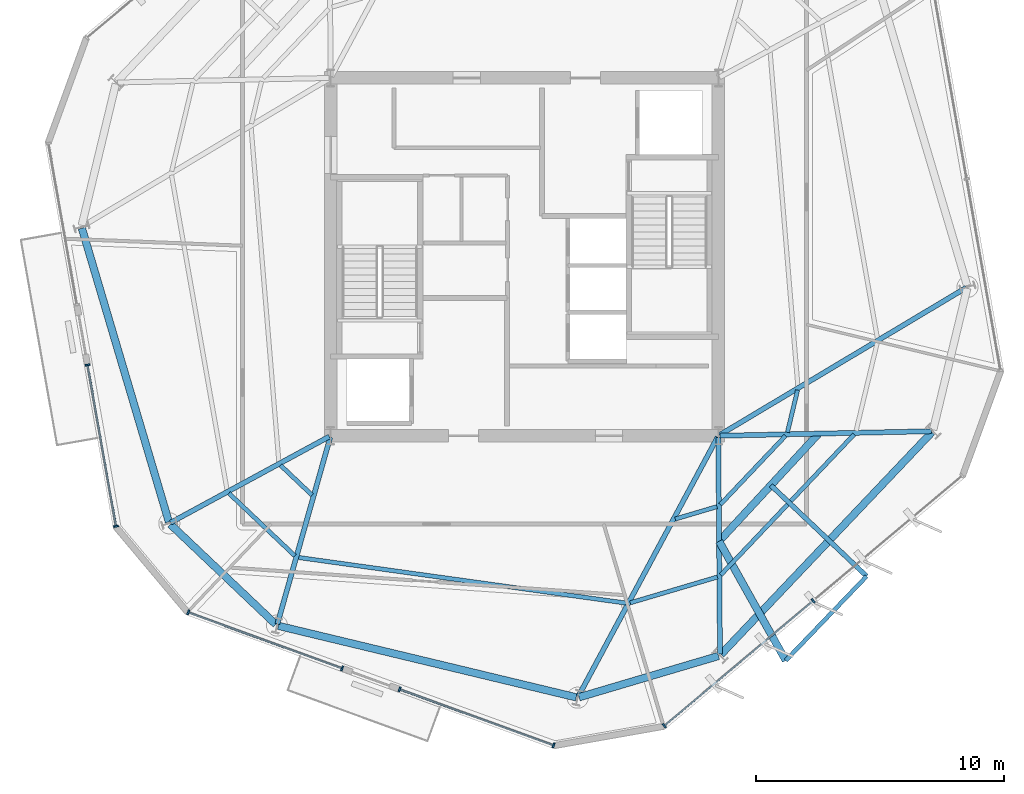
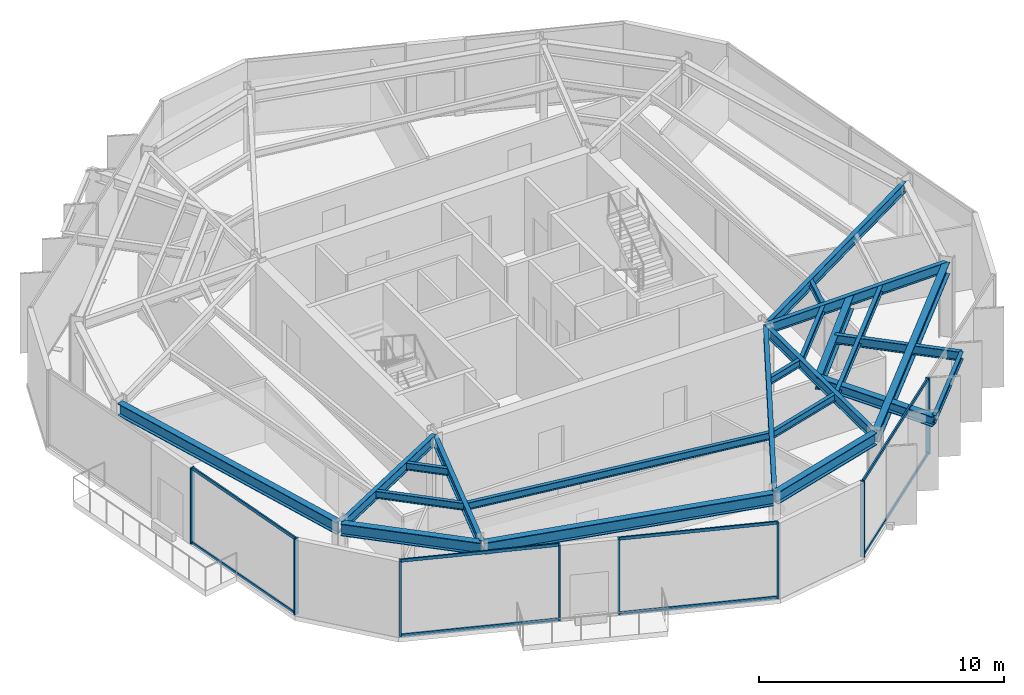
# One storey, part 2 of 11: 23 beams, 16 members, 4 elements without a shape of their own.
"""IFC4 building model written with IfcOpenShell, lengths in metres."""

import ifcopenshell
import ifcopenshell.guid

model = None  # the IFC model being written
_history = None  # IfcOwnerHistory: only IFC2X3 demands one
_inside = {}  # id of a spatial element -> (the spatial element, [elements in it])
_under = {}  # id of a project, library or spatial element -> (it, [spatial elements below it])
_declared = {}  # id of a project -> (the project, [libraries it declares])
_typed = {}  # id of a type object -> (the type object, [elements of that type])
_made_of = {}  # id of a material, layer set ... -> (it, [elements and type objects made of it])


def new_model(schema):
    """Start an empty IFC model of exactly this schema.

    Asked for "IFC4X3", IfcOpenShell would pick the latest addendum, in which some entities
    have other attributes; the version numbers below select the first issue.
    IFC2X3 requires an IfcOwnerHistory on every rooted entity: one is made here for all.
    """
    global model, _history
    if schema == "IFC4X3":
        model = ifcopenshell.file(schema_version=(4, 3, 0, 0))
    else:
        model = ifcopenshell.file(schema=schema)
    _inside.clear()
    _under.clear()
    _declared.clear()
    _typed.clear()
    _made_of.clear()
    _history = None
    if model.schema == "IFC2X3":
        org = make("IfcOrganization", Name="unknown")
        user = make(
            "IfcPersonAndOrganization",
            ThePerson=make("IfcPerson", FamilyName="unknown"),
            TheOrganization=org,
        )
        app = make(
            "IfcApplication",
            ApplicationDeveloper=org,
            Version="unknown",
            ApplicationFullName="unknown",
            ApplicationIdentifier="unknown",
        )
        _history = make(
            "IfcOwnerHistory",
            OwningUser=user,
            OwningApplication=app,
            ChangeAction="ADDED",
            CreationDate=0,
        )
    return model


def make(cls, **values):
    """One entity of the class cls with the attributes given. An attribute that is None is left unset."""
    return model.create_entity(
        cls, **{name: value for name, value in values.items() if value is not None}
    )


def rooted(cls, **values):
    """An entity with a GlobalId (a new one), such as an element, a storey or a relation."""
    return make(cls, GlobalId=ifcopenshell.guid.new(), OwnerHistory=_history, **values)


def si_unit(unit_type, name, prefix=None):
    """IfcSIUnit, for example si_unit("LENGTHUNIT", "METRE", prefix="MILLI")."""
    return make("IfcSIUnit", UnitType=unit_type, Prefix=prefix, Name=name)


def assignment(units):
    """IfcUnitAssignment: the units of a project."""
    return None if units is None else make("IfcUnitAssignment", Units=units)


def point(xyz):
    """IfcCartesianPoint."""
    return None if xyz is None else make("IfcCartesianPoint", Coordinates=xyz)


def direction(xyz):
    """IfcDirection."""
    return None if xyz is None else make("IfcDirection", DirectionRatios=xyz)


def frame(location, z_axis=None, x_axis=None):
    """IfcAxis2Placement3D, a coordinate frame: its origin and axes. An axis left out is left unset."""
    return make(
        "IfcAxis2Placement3D",
        Location=point(location),
        Axis=direction(z_axis),
        RefDirection=direction(x_axis),
    )


def frame_2d(location, x_axis=None):
    """IfcAxis2Placement2D, a coordinate frame in the plane: its origin and x axis."""
    return make(
        "IfcAxis2Placement2D", Location=point(location), RefDirection=direction(x_axis)
    )


def origin():
    """The frame at (0, 0, 0) with its axes left unset."""
    return frame((0.0, 0.0, 0.0))


def origin_2d():
    """The frame at (0, 0) in the plane with its x axis left unset."""
    return frame_2d((0.0, 0.0))


def place(relative_to, where):
    """IfcLocalPlacement: puts the frame where relative to a parent placement (None: the world)."""
    return make(
        "IfcLocalPlacement", PlacementRelTo=relative_to, RelativePlacement=where
    )


def context(
    kind, dimensions, precision=None, world=None, true_north=None, identifier=None
):
    """IfcGeometricRepresentationContext, for example the 3D "Model" context."""
    return make(
        "IfcGeometricRepresentationContext",
        ContextIdentifier=identifier,
        ContextType=kind,
        CoordinateSpaceDimension=dimensions,
        Precision=precision,
        WorldCoordinateSystem=world,
        TrueNorth=true_north,
    )


def subcontext(parent, identifier, kind, view, scale=None):
    """IfcGeometricRepresentationSubContext, for example "Body" below "Model"."""
    return make(
        "IfcGeometricRepresentationSubContext",
        ContextIdentifier=identifier,
        ContextType=kind,
        ParentContext=parent,
        TargetScale=scale,
        TargetView=view,
    )


def project(units=None, contexts=None):
    """IfcProject with its units and contexts."""
    return rooted(
        "IfcProject",
        Name="project",
        RepresentationContexts=contexts,
        UnitsInContext=assignment(units),
    )


def spatial(cls, under=None, at=None, **own):
    """A site, building, storey or space (cls), placed at a placement, below another one or the project."""
    s = rooted(cls, ObjectPlacement=at, **own)
    if under is not None:
        _under.setdefault(under.id(), (under, []))[1].append(s)
    return s


def profile(cls, at=None, kind="AREA", **sizes):
    """A parametric profile (cls). Its sizes go by their IFC names, for example OverallWidth=200.0."""
    return make(cls, ProfileType=kind, Position=at, **sizes)


def rectangle(**sizes):
    """IfcRectangleProfileDef."""
    return profile("IfcRectangleProfileDef", **sizes)


def i_section(**sizes):
    """IfcIShapeProfileDef."""
    return profile("IfcIShapeProfileDef", **sizes)


def extrude(swept, where, along, depth):
    """IfcExtrudedAreaSolid: the profile swept, set in the frame where, extruded along a direction by depth."""
    return make(
        "IfcExtrudedAreaSolid",
        SweptArea=swept,
        Position=where,
        ExtrudedDirection=direction(along),
        Depth=depth,
    )


def shape(context_of_items, identifier, shape_type, items):
    """IfcShapeRepresentation: the items that make up one representation, for example the "Body"."""
    return make(
        "IfcShapeRepresentation",
        ContextOfItems=context_of_items,
        RepresentationIdentifier=identifier,
        RepresentationType=shape_type,
        Items=items,
    )


def material(Name=None, Category=None):
    """IfcMaterial."""
    return make("IfcMaterial", Name=Name, Category=Category)


def layer(
    of_material, thickness, ventilated=None, Name=None, Category=None, Priority=None
):
    """IfcMaterialLayer: one layer of a wall or slab, of a material (None: an air gap)."""
    return make(
        "IfcMaterialLayer",
        Material=of_material,
        LayerThickness=thickness,
        IsVentilated=ventilated,
        Name=Name,
        Category=Category,
        Priority=Priority,
    )


def layer_set(layers, Name=None):
    """IfcMaterialLayerSet."""
    return make("IfcMaterialLayerSet", MaterialLayers=layers, LayerSetName=Name)


def material_profile(
    of_material, cross_section, Name=None, Category=None, Priority=None
):
    """IfcMaterialProfile: a cross section and its material."""
    return make(
        "IfcMaterialProfile",
        Name=Name,
        Material=of_material,
        Profile=cross_section,
        Priority=Priority,
        Category=Category,
    )


def profile_set(profiles, Name=None, composite=None):
    """IfcMaterialProfileSet."""
    return make(
        "IfcMaterialProfileSet",
        Name=Name,
        MaterialProfiles=profiles,
        CompositeProfile=composite,
    )


def made_of(thing, what):
    """Note that an element or type object is made of a material, layer set ...; save() writes the relation."""
    if what is not None:
        _made_of.setdefault(what.id(), (what, []))[1].append(thing)
    return thing


def type_object(cls, material=None, **own):
    """A type object (cls), such as IfcWallType, which elements share."""
    return made_of(rooted(cls, **own), material)


def element(
    cls,
    number,
    at=None,
    inside=None,
    cuts=None,
    type_object=None,
    material=None,
    context=None,
    identifier="Body",
    shape_type=None,
    held_by="IfcProductDefinitionShape",
    body=None,
    shapes=None,
    **own,
):
    """One element of the class cls, such as IfcWall. Its Tag is "e" and its number.

    at: its placement. inside: the storey or other place that contains it. cuts: it is an
    opening in that element (IfcRelVoidsElement). A single representation is given by context,
    identifier, shape_type and body (its items); several are given by shapes. held_by: the class
    of the entity that holds the representations. save() writes the other relations.
    """
    e = rooted(cls, Tag="e%d" % number, ObjectPlacement=at, **own)
    if body is not None:
        shapes = [shape(context, identifier, shape_type, body)]
    if shapes is not None:
        e.Representation = make(held_by, Representations=shapes)
    if inside is not None:
        _inside.setdefault(inside.id(), (inside, []))[1].append(e)
    if cuts is not None:
        rooted(
            "IfcRelVoidsElement", RelatingBuildingElement=cuts, RelatedOpeningElement=e
        )
    if type_object is not None:
        _typed.setdefault(type_object.id(), (type_object, []))[1].append(e)
    return made_of(e, material)


def aggregate(whole, parts):
    """IfcRelAggregates: a whole, such as a stair, and the parts it consists of."""
    return rooted("IfcRelAggregates", RelatingObject=whole, RelatedObjects=parts)


def save(model, path):
    """Write the relations noted so far, then the file.

    IfcRelAggregates (storeys below a building ...), IfcRelContainedInSpatialStructure (elements
    in a storey), IfcRelDefinesByType, IfcRelAssociatesMaterial and IfcRelDeclares: one each for
    every whole, place, type object, material and project.
    """
    for whole, parts in _under.values():
        aggregate(whole, parts)
    for where, things in _inside.values():
        rooted(
            "IfcRelContainedInSpatialStructure",
            RelatedElements=things,
            RelatingStructure=where,
        )
    for kind, things in _typed.values():
        rooted("IfcRelDefinesByType", RelatedObjects=things, RelatingType=kind)
    for what, things in _made_of.values():
        rooted("IfcRelAssociatesMaterial", RelatedObjects=things, RelatingMaterial=what)
    for by, libraries in _declared.values():
        rooted("IfcRelDeclares", RelatingContext=by, RelatedDefinitions=libraries)
    model.write(path)


model = new_model("IFC4")

# Units and contexts
model_context = context("Model", 3, precision=1e-05, world=origin(), true_north=direction((0.0, 1.0)))
body_context = subcontext(model_context, "Body", "Model", "MODEL_VIEW")
ifc_project = project(units=[si_unit("LENGTHUNIT", "METRE"), si_unit("AREAUNIT", "SQUARE_METRE"), si_unit("VOLUMEUNIT", "CUBIC_METRE"), si_unit("PLANEANGLEUNIT", "RADIAN"), si_unit("MASSUNIT", "GRAM", prefix="KILO")], contexts=[model_context])

# Site, building, storey
site_placement = place(None, origin())
site = spatial("IfcSite", under=ifc_project, at=site_placement, CompositionType="ELEMENT")
building_placement = place(site_placement, origin())
building = spatial("IfcBuilding", under=site, at=building_placement, Name="Kranzbogen Civic Tower", CompositionType="ELEMENT")
storey_placement = place(building_placement, frame((0.0, 0.0, 184.800048828125)))
storey = spatial("IfcBuildingStorey", under=building, at=storey_placement, Name="L44", CompositionType="ELEMENT", Elevation=184.800048828125)

# Beam
ifc_material_1 = material(Name="Steel S355", Category="steel")
ifc_material_profile_1 = material_profile(ifc_material_1, i_section(OverallWidth=0.18994140625, OverallDepth=0.449951171875, WebThickness=0.009521484375, FlangeThickness=0.0146484375, at=origin_2d()), Name="IPE 450")
ifc_profile_set_1 = profile_set([ifc_material_profile_1], Name="Steel S355")
beam_type_1 = type_object("IfcBeamType", Name="Braced Terrace Edge Beam IPE 450", PredefinedType="BEAM", material=ifc_profile_set_1)
beam_1_placement = place(storey_placement, frame((34.9140625, 15.80810546875, 3.52490234375), z_axis=(0.725373141087, -0.688355871762, 0.0), x_axis=(0.688355871762, 0.725373141087, 0.0)))
element("IfcBeam", 1, at=beam_1_placement, inside=storey, type_object=beam_type_1, Name="L45 back-spanned terrace beam L45-TB1-2", PredefinedType="BEAM", context=body_context, shape_type="SweptSolid", body=[
    extrude(i_section(OverallWidth=0.18994140625, OverallDepth=0.449951171875, WebThickness=0.009521484375, FlangeThickness=0.0146484375, at=origin_2d()), origin(), (0.0, 0.0, 1.0), 5.31591796875),
])

# Curtain wall, members
ifc_material_2 = material(Name="Pale Anodised Aluminium", Category="aluminium")
ifc_layer = layer(ifc_material_2, 0.219970703125, Name="Pale Anodised Aluminium")
ifc_layer_set = layer_set([ifc_layer], Name="Pale Anodised Aluminium")
curtain_wall_type = type_object("IfcCurtainWallType", Name="Zone 3 Stick Curtain Wall System CW-04", PredefinedType="USERDEFINED", material=ifc_layer_set)
curtain_wall_1_placement = place(storey_placement, origin())
curtain_wall_1 = element("IfcCurtainWall", 2, at=curtain_wall_1_placement, inside=storey, type_object=curtain_wall_type, Name="L44 curtain wall CW-L44-F3-S2", ObjectType="STICK CURTAIN WALL", PredefinedType="USERDEFINED")
ifc_material_profile_2 = material_profile(ifc_material_2, rectangle(XDim=0.070068359375, YDim=0.199951171875, at=origin_2d()), Name="ALU-M 70x200")
ifc_profile_set_2 = profile_set([ifc_material_profile_2], Name="Pale Anodised Aluminium")
member_type_1 = type_object("IfcMemberType", Name="Curtain Wall Mullion ALU-M 70x200", PredefinedType="MULLION", material=ifc_profile_set_2)
member_1_placement = place(storey_placement, frame((7.416259765625, 20.650390625, 0.0), z_axis=(0.0, 0.0, 1.0), x_axis=(0.173725321879, -0.984794147291, 0.0)))
member_1 = element("IfcMember", 3, at=member_1_placement, type_object=member_type_1, Name="CW-04 mullion 1", PredefinedType="MULLION", context=body_context, shape_type="SweptSolid", body=[
    extrude(rectangle(XDim=0.070068359375, YDim=0.199951171875, at=origin_2d()), origin(), (0.0, 0.0, 1.0), 3.780029296875),
])
member_2_placement = place(storey_placement, frame((8.561767578125, 14.156494140625, 0.0), z_axis=(0.0, 0.0, 1.0), x_axis=(0.173725321879, -0.984794147291, 0.0)))
member_2 = element("IfcMember", 4, at=member_2_placement, type_object=member_type_1, Name="CW-04 mullion 2", PredefinedType="MULLION", context=body_context, shape_type="SweptSolid", body=[
    extrude(rectangle(XDim=0.070068359375, YDim=0.199951171875, at=origin_2d()), origin(), (0.0, 0.0, 1.0), 3.780029296875),
])

curtain_wall_2_placement = place(storey_placement, origin())
curtain_wall_2 = element("IfcCurtainWall", 5, at=curtain_wall_2_placement, inside=storey, type_object=curtain_wall_type, Name="L44 curtain wall CW-L44-F4-S1", ObjectType="STICK CURTAIN WALL", PredefinedType="USERDEFINED")
member_3_placement = place(storey_placement, frame((11.46728515625, 10.69482421875, 0.0), z_axis=(0.0, 0.0, 1.0), x_axis=(0.93967049042, -0.342080939887, 0.0)))
member_3 = element("IfcMember", 6, at=member_3_placement, type_object=member_type_1, Name="CW-04 mullion 1", PredefinedType="MULLION", context=body_context, shape_type="SweptSolid", body=[
    extrude(rectangle(XDim=0.070068359375, YDim=0.199951171875, at=origin_2d()), origin(), (0.0, 0.0, 1.0), 3.780029296875),
])
member_4_placement = place(storey_placement, frame((17.662841796875, 8.439208984375, 0.0), z_axis=(0.0, 0.0, 1.0), x_axis=(0.93967049042, -0.342080939887, 0.0)))
member_4 = element("IfcMember", 7, at=member_4_placement, type_object=member_type_1, Name="CW-04 mullion 2", PredefinedType="MULLION", context=body_context, shape_type="SweptSolid", body=[
    extrude(rectangle(XDim=0.070068359375, YDim=0.199951171875, at=origin_2d()), origin(), (0.0, 0.0, 1.0), 3.780029296875),
])

curtain_wall_3_placement = place(storey_placement, origin())
curtain_wall_3 = element("IfcCurtainWall", 8, at=curtain_wall_3_placement, inside=storey, type_object=curtain_wall_type, Name="L44 curtain wall CW-L44-F4-S2", ObjectType="STICK CURTAIN WALL", PredefinedType="USERDEFINED")
member_5_placement = place(storey_placement, frame((19.97412109375, 7.59765625, 0.0), z_axis=(0.0, 0.0, 1.0), x_axis=(0.93968807461, -0.342032633583, 0.0)))
member_5 = element("IfcMember", 9, at=member_5_placement, type_object=member_type_1, Name="CW-04 mullion 1", PredefinedType="MULLION", context=body_context, shape_type="SweptSolid", body=[
    extrude(rectangle(XDim=0.070068359375, YDim=0.199951171875, at=origin_2d()), origin(), (0.0, 0.0, 1.0), 3.780029296875),
])
member_6_placement = place(storey_placement, frame((26.1708984375, 5.34228515625, 0.0), z_axis=(0.0, 0.0, 1.0), x_axis=(0.93968807461, -0.342032633583, 0.0)))
member_6 = element("IfcMember", 10, at=member_6_placement, type_object=member_type_1, Name="CW-04 mullion 2", PredefinedType="MULLION", context=body_context, shape_type="SweptSolid", body=[
    extrude(rectangle(XDim=0.070068359375, YDim=0.199951171875, at=origin_2d()), origin(), (0.0, 0.0, 1.0), 3.780029296875),
])

curtain_wall_4_placement = place(storey_placement, origin())
curtain_wall_4 = element("IfcCurtainWall", 11, at=curtain_wall_4_placement, inside=storey, type_object=curtain_wall_type, Name="L44 curtain wall CW-L44-F5", ObjectType="STICK CURTAIN WALL", PredefinedType="USERDEFINED")
member_7_placement = place(storey_placement, frame((30.623046875, 6.127197265625, 0.0), z_axis=(0.0, 0.0, 1.0), x_axis=(0.766072212874, 0.642754513529, 0.0)))
member_7 = element("IfcMember", 12, at=member_7_placement, type_object=member_type_1, Name="CW-04 mullion 1", PredefinedType="MULLION", context=body_context, shape_type="SweptSolid", body=[
    extrude(rectangle(XDim=0.070068359375, YDim=0.199951171875, at=origin_2d()), origin(), (0.0, 0.0, 1.0), 3.780029296875),
])
member_8_placement = place(storey_placement, frame((36.616455078125, 11.156005859375, 0.0), z_axis=(0.0, 0.0, 1.0), x_axis=(0.766072212874, 0.642754513529, 0.0)))
member_8 = element("IfcMember", 13, at=member_8_placement, type_object=member_type_1, Name="CW-04 mullion 2", PredefinedType="MULLION", context=body_context, shape_type="SweptSolid", body=[
    extrude(rectangle(XDim=0.070068359375, YDim=0.199951171875, at=origin_2d()), origin(), (0.0, 0.0, 1.0), 3.780029296875),
])

# Member
ifc_material_profile_3 = material_profile(ifc_material_2, rectangle(XDim=0.070068359375, YDim=0.14990234375, at=origin_2d()), Name="ALU-T 70x150")
ifc_profile_set_3 = profile_set([ifc_material_profile_3], Name="Pale Anodised Aluminium")
member_type_2 = type_object("IfcMemberType", Name="Curtain Wall Transom ALU-T 70x150", PredefinedType="USERDEFINED", material=ifc_profile_set_3)
member_9_placement = place(storey_placement, frame((7.42138671875, 20.620849609375, 0.030029296875), z_axis=(0.173740572681, -0.984791456809, 0.0), x_axis=(0.984791456809, 0.173740572681, 0.0)))
member_9 = element("IfcMember", 14, at=member_9_placement, type_object=member_type_2, Name="CW-04 transom 1.1", ObjectType="TRANSOM", PredefinedType="USERDEFINED", context=body_context, shape_type="SweptSolid", body=[
    extrude(rectangle(XDim=0.070068359375, YDim=0.14990234375, at=origin_2d()), origin(), (0.0, 0.0, 1.0), 6.5341796875),
])

member_10_placement = place(storey_placement, frame((7.42138671875, 20.620849609375, 3.75), z_axis=(0.173740572681, -0.984791456809, 0.0), x_axis=(0.984791456809, 0.173740572681, 0.0)))
member_10 = element("IfcMember", 15, at=member_10_placement, type_object=member_type_2, Name="CW-04 transom 1.2", ObjectType="TRANSOM", PredefinedType="USERDEFINED", context=body_context, shape_type="SweptSolid", body=[
    extrude(rectangle(XDim=0.070068359375, YDim=0.14990234375, at=origin_2d()), origin(), (0.0, 0.0, 1.0), 6.5341796875),
])

aggregate(curtain_wall_1, [member_1, member_2, member_9, member_10])

member_11_placement = place(storey_placement, frame((11.495361328125, 10.6845703125, 0.030029296875), z_axis=(0.939661337162, -0.342106082149, 0.0), x_axis=(0.342106082149, 0.939661337162, 0.0)))
member_11 = element("IfcMember", 16, at=member_11_placement, type_object=member_type_2, Name="CW-04 transom 1.1", ObjectType="TRANSOM", PredefinedType="USERDEFINED", context=body_context, shape_type="SweptSolid", body=[
    extrude(rectangle(XDim=0.070068359375, YDim=0.14990234375, at=origin_2d()), origin(), (0.0, 0.0, 1.0), 6.533447265625),
])

member_12_placement = place(storey_placement, frame((11.495361328125, 10.6845703125, 3.75), z_axis=(0.939661337162, -0.342106082149, 0.0), x_axis=(0.342106082149, 0.939661337162, 0.0)))
member_12 = element("IfcMember", 17, at=member_12_placement, type_object=member_type_2, Name="CW-04 transom 1.2", ObjectType="TRANSOM", PredefinedType="USERDEFINED", context=body_context, shape_type="SweptSolid", body=[
    extrude(rectangle(XDim=0.070068359375, YDim=0.14990234375, at=origin_2d()), origin(), (0.0, 0.0, 1.0), 6.533447265625),
])

aggregate(curtain_wall_2, [member_3, member_4, member_11, member_12])

member_13_placement = place(storey_placement, frame((20.00244140625, 7.58740234375, 0.030029296875), z_axis=(0.939690836229, -0.342025046316, 0.0), x_axis=(0.342025046316, 0.939690836229, 0.0)))
member_13 = element("IfcMember", 18, at=member_13_placement, type_object=member_type_2, Name="CW-04 transom 1.1", ObjectType="TRANSOM", PredefinedType="USERDEFINED", context=body_context, shape_type="SweptSolid", body=[
    extrude(rectangle(XDim=0.070068359375, YDim=0.14990234375, at=origin_2d()), origin(), (0.0, 0.0, 1.0), 6.5341796875),
])

member_14_placement = place(storey_placement, frame((20.00244140625, 7.58740234375, 3.75), z_axis=(0.939690836229, -0.342025046316, 0.0), x_axis=(0.342025046316, 0.939690836229, 0.0)))
member_14 = element("IfcMember", 19, at=member_14_placement, type_object=member_type_2, Name="CW-04 transom 1.2", ObjectType="TRANSOM", PredefinedType="USERDEFINED", context=body_context, shape_type="SweptSolid", body=[
    extrude(rectangle(XDim=0.070068359375, YDim=0.14990234375, at=origin_2d()), origin(), (0.0, 0.0, 1.0), 6.5341796875),
])

aggregate(curtain_wall_3, [member_5, member_6, member_13, member_14])

member_15_placement = place(storey_placement, frame((30.64599609375, 6.146484375, 0.030029296875), z_axis=(0.766064667028, 0.642763507001, 0.0), x_axis=(-0.642763507001, 0.766064667028, 0.0)))
member_15 = element("IfcMember", 20, at=member_15_placement, type_object=member_type_2, Name="CW-04 transom 1.1", ObjectType="TRANSOM", PredefinedType="USERDEFINED", context=body_context, shape_type="SweptSolid", body=[
    extrude(rectangle(XDim=0.070068359375, YDim=0.14990234375, at=origin_2d()), origin(), (0.0, 0.0, 1.0), 7.763671875),
])

member_16_placement = place(storey_placement, frame((30.64599609375, 6.146484375, 3.75), z_axis=(0.766064667028, 0.642763507001, 0.0), x_axis=(-0.642763507001, 0.766064667028, 0.0)))
member_16 = element("IfcMember", 21, at=member_16_placement, type_object=member_type_2, Name="CW-04 transom 1.2", ObjectType="TRANSOM", PredefinedType="USERDEFINED", context=body_context, shape_type="SweptSolid", body=[
    extrude(rectangle(XDim=0.070068359375, YDim=0.14990234375, at=origin_2d()), origin(), (0.0, 0.0, 1.0), 7.763671875),
])

aggregate(curtain_wall_4, [member_7, member_8, member_15, member_16])

# Beams
ifc_material_profile_4 = material_profile(ifc_material_1, i_section(OverallWidth=0.300048828125, OverallDepth=0.5, WebThickness=0.014404296875, FlangeThickness=0.028076171875, at=origin_2d()), Name="HEB 500")
ifc_profile_set_4 = profile_set([ifc_material_profile_4], Name="Steel S355")
beam_type_2 = type_object("IfcBeamType", Name="Perimeter Tube Spandrel Beam HEB 500", PredefinedType="SPANDREL", material=ifc_profile_set_4)
beam_2_placement = place(storey_placement, frame((32.83203125, 13.555908203125, 3.5), z_axis=(0.48767707516, -0.87302409495, 0.0), x_axis=(0.87302409495, 0.48767707516, 0.0)))
element("IfcBeam", 22, at=beam_2_placement, inside=storey, type_object=beam_type_2, Name="L45 back-spanned terrace beam L45-TB1-1", PredefinedType="SPANDREL", context=body_context, shape_type="SweptSolid", body=[
    extrude(i_section(OverallWidth=0.300048828125, OverallDepth=0.5, WebThickness=0.014404296875, FlangeThickness=0.028076171875, at=origin_2d()), origin(), (0.0, 0.0, 1.0), 5.499267578125),
])
ifc_material_profile_5 = material_profile(ifc_material_1, i_section(OverallWidth=0.300048828125, OverallDepth=0.60009765625, WebThickness=0.015380859375, FlangeThickness=0.030029296875, at=origin_2d()), Name="HEB 600")
ifc_profile_set_5 = profile_set([ifc_material_profile_5], Name="Steel S355")
beam_type_3 = type_object("IfcBeamType", Name="Perimeter Tube Spandrel Beam HEB 600", PredefinedType="SPANDREL", material=ifc_profile_set_5)
beam_3_placement = place(storey_placement, frame((10.7509765625, 14.235107421875, 3.47998046875), z_axis=(0.725245206788, -0.688490660816, 0.0), x_axis=(0.688490660816, 0.725245206788, 0.0)))
element("IfcBeam", 23, at=beam_3_placement, inside=storey, type_object=beam_type_3, Name="L44 perimeter spandrel beam 01", PredefinedType="SPANDREL", context=body_context, shape_type="SweptSolid", body=[
    extrude(i_section(OverallWidth=0.300048828125, OverallDepth=0.60009765625, WebThickness=0.015380859375, FlangeThickness=0.030029296875, at=origin_2d()), origin(), (0.0, 0.0, 1.0), 5.85205078125),
])
beam_4_placement = place(storey_placement, frame((15.096923828125, 10.15087890625, 3.47998046875), z_axis=(0.972377592092, -0.233413406637, 0.0), x_axis=(0.233413406637, 0.972377592092, 0.0)))
element("IfcBeam", 24, at=beam_4_placement, inside=storey, type_object=beam_type_3, Name="L44 perimeter spandrel beam 02", PredefinedType="SPANDREL", context=body_context, shape_type="SweptSolid", body=[
    extrude(i_section(OverallWidth=0.300048828125, OverallDepth=0.60009765625, WebThickness=0.015380859375, FlangeThickness=0.030029296875, at=origin_2d()), origin(), (0.0, 0.0, 1.0), 12.32568359375),
])
beam_5_placement = place(storey_placement, frame((27.197998046875, 7.277099609375, 3.47998046875), z_axis=(0.9588296723, 0.283981794341, 0.0), x_axis=(-0.283981794341, 0.9588296723, 0.0)))
element("IfcBeam", 25, at=beam_5_placement, inside=storey, type_object=beam_type_3, Name="L44 perimeter spandrel beam 03", PredefinedType="SPANDREL", context=body_context, shape_type="SweptSolid", body=[
    extrude(i_section(OverallWidth=0.300048828125, OverallDepth=0.60009765625, WebThickness=0.015380859375, FlangeThickness=0.030029296875, at=origin_2d()), origin(), (0.0, 0.0, 1.0), 5.85205078125),
])
beam_6_placement = place(storey_placement, frame((32.907958984375, 9.0, 3.47998046875), z_axis=(0.688373497874, 0.725356414065, 0.0), x_axis=(-0.725356414065, 0.688373497874, 0.0)))
element("IfcBeam", 26, at=beam_6_placement, inside=storey, type_object=beam_type_3, Name="L44 perimeter spandrel beam 04", PredefinedType="SPANDREL", context=body_context, shape_type="SweptSolid", body=[
    extrude(i_section(OverallWidth=0.300048828125, OverallDepth=0.60009765625, WebThickness=0.015380859375, FlangeThickness=0.030029296875, at=origin_2d()), origin(), (0.0, 0.0, 1.0), 12.324951171875),
])
beam_7_placement = place(storey_placement, frame((7.18896484375, 26.15087890625, 3.47998046875), z_axis=(0.284064048956, -0.958805306666, 0.0), x_axis=(0.958805306666, 0.284064048956, 0.0)))
element("IfcBeam", 27, at=beam_7_placement, inside=storey, type_object=beam_type_3, Name="L44 perimeter spandrel beam 12", PredefinedType="SPANDREL", context=body_context, shape_type="SweptSolid", body=[
    extrude(i_section(OverallWidth=0.300048828125, OverallDepth=0.60009765625, WebThickness=0.015380859375, FlangeThickness=0.030029296875, at=origin_2d()), origin(), (0.0, 0.0, 1.0), 12.32470703125),
])
ifc_material_profile_6 = material_profile(ifc_material_1, i_section(OverallWidth=0.300048828125, OverallDepth=0.699951171875, WebThickness=0.01708984375, FlangeThickness=0.031982421875, at=origin_2d()), Name="HEB 700")
ifc_profile_set_6 = profile_set([ifc_material_profile_6], Name="Steel S355")
beam_type_4 = type_object("IfcBeamType", Name="Perimeter Tube Spandrel Beam HEB 700", PredefinedType="SPANDREL", material=ifc_profile_set_6)
beam_8_placement = place(storey_placement, frame((32.83203125, 13.555908203125, 3.39990234375), z_axis=(0.678733988671, 0.734384213218, 0.0), x_axis=(-0.734384213218, 0.678733988671, 0.0)))
element("IfcBeam", 28, at=beam_8_placement, inside=storey, type_object=beam_type_4, Name="L45 balcony back-span header girder L45-TB1", PredefinedType="SPANDREL", context=body_context, shape_type="SweptSolid", body=[
    extrude(i_section(OverallWidth=0.300048828125, OverallDepth=0.699951171875, WebThickness=0.01708984375, FlangeThickness=0.031982421875, at=origin_2d()), origin(), (0.0, 0.0, 1.0), 5.896240234375),
])
ifc_material_profile_7 = material_profile(ifc_material_1, i_section(OverallWidth=0.199951171875, OverallDepth=0.5, WebThickness=0.01025390625, FlangeThickness=0.01611328125, at=origin_2d()), Name="IPE 500")
ifc_profile_set_7 = profile_set([ifc_material_profile_7], Name="Steel S355")
beam_type_5 = type_object("IfcBeamType", Name="Radial Tower Floor Girder IPE 500", PredefinedType="BEAM", material=ifc_profile_set_7)
beam_9_placement = place(storey_placement, frame((10.760009765625, 14.304931640625, 3.530029296875), z_axis=(0.878919430102, 0.476970266777, 0.0), x_axis=(-0.476970266777, 0.878919430102, 0.0)))
element("IfcBeam", 29, at=beam_9_placement, inside=storey, type_object=beam_type_5, Name="L44 radial floor girder 01", PredefinedType="BEAM", context=body_context, shape_type="SweptSolid", body=[
    extrude(i_section(OverallWidth=0.199951171875, OverallDepth=0.5, WebThickness=0.01025390625, FlangeThickness=0.01611328125, at=origin_2d()), origin(), (0.0, 0.0, 1.0), 7.266845703125),
])
beam_10_placement = place(storey_placement, frame((15.054931640625, 10.222900390625, 3.530029296875), z_axis=(0.272455078988, 0.962168503919, 0.0), x_axis=(-0.962168503919, 0.272455078988, 0.0)))
element("IfcBeam", 30, at=beam_10_placement, inside=storey, type_object=beam_type_5, Name="L44 radial floor girder 02", PredefinedType="BEAM", context=body_context, shape_type="SweptSolid", body=[
    extrude(i_section(OverallWidth=0.199951171875, OverallDepth=0.5, WebThickness=0.01025390625, FlangeThickness=0.01611328125, at=origin_2d()), origin(), (0.0, 0.0, 1.0), 7.814697265625),
])
beam_11_placement = place(storey_placement, frame((27.16796875, 7.31298828125, 3.530029296875), z_axis=(0.473160413549, 0.880976289721, 0.0), x_axis=(-0.880976289721, 0.473160413549, 0.0)))
element("IfcBeam", 31, at=beam_11_placement, inside=storey, type_object=beam_type_5, Name="L44 radial floor girder 03", PredefinedType="BEAM", context=body_context, shape_type="SweptSolid", body=[
    extrude(i_section(OverallWidth=0.199951171875, OverallDepth=0.5, WebThickness=0.01025390625, FlangeThickness=0.01611328125, at=origin_2d()), origin(), (0.0, 0.0, 1.0), 11.84375),
])
beam_12_placement = place(storey_placement, frame((32.866943359375, 9.01611328125, 3.530029296875), z_axis=(-0.007667756557, 0.999970602323, 0.0), x_axis=(-0.999970602323, -0.007667756557, 0.0)))
element("IfcBeam", 32, at=beam_12_placement, inside=storey, type_object=beam_type_5, Name="L44 radial floor girder 04", PredefinedType="BEAM", context=body_context, shape_type="SweptSolid", body=[
    extrude(i_section(OverallWidth=0.199951171875, OverallDepth=0.5, WebThickness=0.01025390625, FlangeThickness=0.01611328125, at=origin_2d()), origin(), (0.0, 0.0, 1.0), 8.72412109375),
])
beam_13_placement = place(storey_placement, frame((41.373046875, 17.98291015625, 3.530029296875), z_axis=(-0.99977183191, -0.021360808018, 0.0), x_axis=(0.021360808018, -0.99977183191, 0.0)))
element("IfcBeam", 33, at=beam_13_placement, inside=storey, type_object=beam_type_5, Name="L44 radial floor girder 05", PredefinedType="BEAM", context=body_context, shape_type="SweptSolid", body=[
    extrude(i_section(OverallWidth=0.199951171875, OverallDepth=0.5, WebThickness=0.01025390625, FlangeThickness=0.01611328125, at=origin_2d()), origin(), (0.0, 0.0, 1.0), 8.514892578125),
])
beam_14_placement = place(storey_placement, frame((42.77587890625, 23.760009765625, 3.530029296875), z_axis=(-0.858458551809, -0.512882944565, 0.0), x_axis=(0.512882944565, -0.858458551809, 0.0)))
element("IfcBeam", 34, at=beam_14_placement, inside=storey, type_object=beam_type_5, Name="L44 radial floor girder 06", PredefinedType="BEAM", context=body_context, shape_type="SweptSolid", body=[
    extrude(i_section(OverallWidth=0.199951171875, OverallDepth=0.5, WebThickness=0.01025390625, FlangeThickness=0.01611328125, at=origin_2d()), origin(), (0.0, 0.0, 1.0), 11.56005859375),
])
ifc_material_profile_8 = material_profile(ifc_material_1, i_section(OverallWidth=0.169921875, OverallDepth=0.360107421875, WebThickness=0.008056640625, FlangeThickness=0.0126953125, at=origin_2d()), Name="IPE 360")
ifc_profile_set_8 = profile_set([ifc_material_profile_8], Name="Steel S355")
beam_type_6 = type_object("IfcBeamType", Name="Secondary Composite Floor Joist IPE 360", PredefinedType="JOIST", material=ifc_profile_set_8)
beam_15_placement = place(storey_placement, frame((13.10302734375, 15.489990234375, 3.599853515625), z_axis=(0.725300648604, -0.688432254572, 0.0), x_axis=(0.688432254572, 0.725300648604, 0.0)))
element("IfcBeam", 35, at=beam_15_placement, inside=storey, type_object=beam_type_6, Name="L44 secondary floor joist 1.01", PredefinedType="JOIST", context=body_context, shape_type="SweptSolid", body=[
    extrude(i_section(OverallWidth=0.169921875, OverallDepth=0.360107421875, WebThickness=0.008056640625, FlangeThickness=0.0126953125, at=origin_2d()), origin(), (0.0, 0.0, 1.0), 3.661865234375),
])
beam_16_placement = place(storey_placement, frame((15.179931640625, 16.616943359375, 3.599853515625), z_axis=(0.725479767774, -0.688243493649, 0.0), x_axis=(0.688243493649, 0.725479767774, 0.0)))
element("IfcBeam", 36, at=beam_16_placement, inside=storey, type_object=beam_type_6, Name="L44 secondary floor joist 2.01", PredefinedType="JOIST", context=body_context, shape_type="SweptSolid", body=[
    extrude(i_section(OverallWidth=0.169921875, OverallDepth=0.360107421875, WebThickness=0.008056640625, FlangeThickness=0.0126953125, at=origin_2d()), origin(), (0.0, 0.0, 1.0), 1.75048828125),
])
beam_17_placement = place(storey_placement, frame((15.89599609375, 12.903076171875, 3.599853515625), z_axis=(0.990445837232, -0.137902296968, 0.0), x_axis=(0.137902296968, 0.990445837232, 0.0)))
element("IfcBeam", 37, at=beam_17_placement, inside=storey, type_object=beam_type_6, Name="L44 secondary floor joist 1.02", PredefinedType="JOIST", context=body_context, shape_type="SweptSolid", body=[
    extrude(i_section(OverallWidth=0.169921875, OverallDepth=0.360107421875, WebThickness=0.008056640625, FlangeThickness=0.0126953125, at=origin_2d()), origin(), (0.0, 0.0, 1.0), 13.329345703125),
])
beam_18_placement = place(storey_placement, frame((29.25390625, 11.076904296875, 3.599853515625), z_axis=(0.958843823165, 0.283934011309, 0.0), x_axis=(-0.283934011309, 0.958843823165, 0.0)))
element("IfcBeam", 38, at=beam_18_placement, inside=storey, type_object=beam_type_6, Name="L44 secondary floor joist 1.03", PredefinedType="JOIST", context=body_context, shape_type="SweptSolid", body=[
    extrude(i_section(OverallWidth=0.169921875, OverallDepth=0.360107421875, WebThickness=0.008056640625, FlangeThickness=0.0126953125, at=origin_2d()), origin(), (0.0, 0.0, 1.0), 3.662841796875),
])
beam_19_placement = place(storey_placement, frame((31.06591796875, 14.449951171875, 3.599853515625), z_axis=(0.958871214757, 0.283841493638, 0.0), x_axis=(-0.283841493638, 0.958871214757, 0.0)))
element("IfcBeam", 39, at=beam_19_placement, inside=storey, type_object=beam_type_6, Name="L44 secondary floor joist 2.03", PredefinedType="JOIST", context=body_context, shape_type="SweptSolid", body=[
    extrude(i_section(OverallWidth=0.169921875, OverallDepth=0.360107421875, WebThickness=0.008056640625, FlangeThickness=0.0126953125, at=origin_2d()), origin(), (0.0, 0.0, 1.0), 1.751220703125),
])
beam_20_placement = place(storey_placement, frame((32.89794921875, 12.197998046875, 3.599853515625), z_axis=(0.688282381634, 0.725442873789, 0.0), x_axis=(-0.725442873789, 0.688282381634, 0.0)))
element("IfcBeam", 40, at=beam_20_placement, inside=storey, type_object=beam_type_6, Name="L44 secondary floor joist 1.04", PredefinedType="JOIST", context=body_context, shape_type="SweptSolid", body=[
    extrude(i_section(OverallWidth=0.169921875, OverallDepth=0.360107421875, WebThickness=0.008056640625, FlangeThickness=0.0126953125, at=origin_2d()), origin(), (0.0, 0.0, 1.0), 7.804931640625),
])
beam_21_placement = place(storey_placement, frame((32.876953125, 15.028076171875, 3.599853515625), z_axis=(0.688175084876, 0.725544659243, 0.0), x_axis=(-0.725544659243, 0.688175084876, 0.0)))
element("IfcBeam", 41, at=beam_21_placement, inside=storey, type_object=beam_type_6, Name="L44 secondary floor joist 2.04", PredefinedType="JOIST", context=body_context, shape_type="SweptSolid", body=[
    extrude(i_section(OverallWidth=0.169921875, OverallDepth=0.360107421875, WebThickness=0.008056640625, FlangeThickness=0.0126953125, at=origin_2d()), origin(), (0.0, 0.0, 1.0), 3.82177734375),
])
beam_22_placement = place(storey_placement, frame((35.5810546875, 17.93701171875, 3.599853515625), z_axis=(0.233631438607, 0.972325228972, 0.0), x_axis=(-0.972325228972, 0.233631438607, 0.0)))
element("IfcBeam", 42, at=beam_22_placement, inside=storey, type_object=beam_type_6, Name="L44 secondary floor joist 2.05", PredefinedType="JOIST", context=body_context, shape_type="SweptSolid", body=[
    extrude(i_section(OverallWidth=0.169921875, OverallDepth=0.360107421875, WebThickness=0.008056640625, FlangeThickness=0.0126953125, at=origin_2d()), origin(), (0.0, 0.0, 1.0), 1.750244140625),
])
beam_23_placement = place(storey_placement, frame((35.513916015625, 8.7548828125, 3.570068359375), z_axis=(0.692290836582, 0.721618595648, 0.0), x_axis=(-0.721618595648, 0.692290836582, 0.0)))
element("IfcBeam", 43, at=beam_23_placement, inside=storey, type_object=beam_type_6, Name="L45 terrace outer edge trimmer L45-TB1", PredefinedType="JOIST", context=body_context, shape_type="SweptSolid", body=[
    extrude(i_section(OverallWidth=0.169921875, OverallDepth=0.360107421875, WebThickness=0.008056640625, FlangeThickness=0.0126953125, at=origin_2d()), origin(), (0.0, 0.0, 1.0), 4.703369140625),
])

save(model, "model.ifc")
